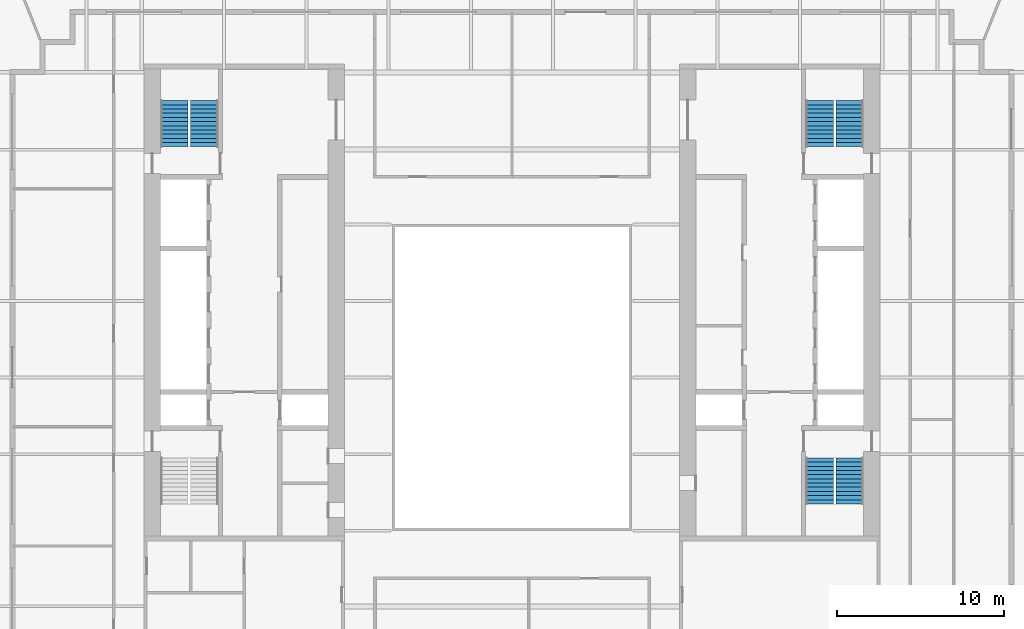
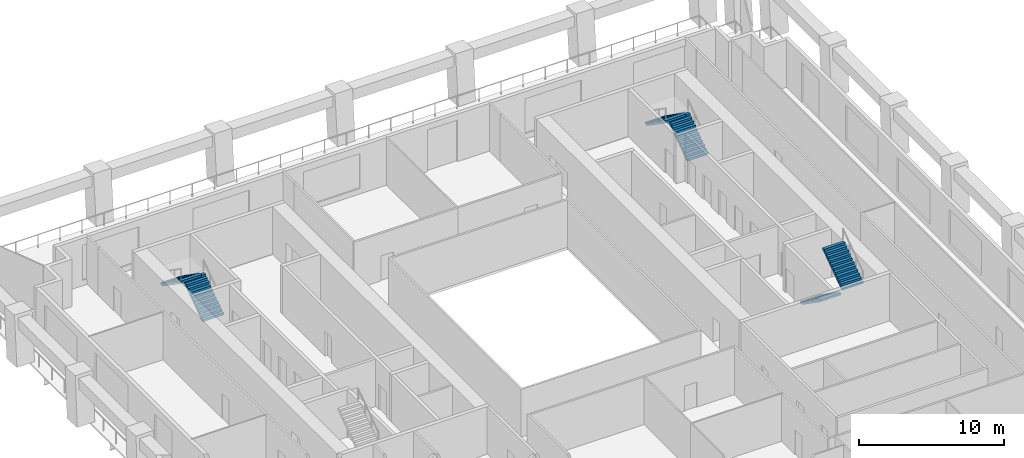
# One storey, part 8 of 10: 6 stair flights, 3 elements without a shape of their own.
"""IFC4 building model written with IfcOpenShell, lengths in metres."""

import ifcopenshell
import ifcopenshell.guid

model = None  # the IFC model being written
_history = None  # IfcOwnerHistory: only IFC2X3 demands one
_inside = {}  # id of a spatial element -> (the spatial element, [elements in it])
_under = {}  # id of a project, library or spatial element -> (it, [spatial elements below it])
_declared = {}  # id of a project -> (the project, [libraries it declares])
_typed = {}  # id of a type object -> (the type object, [elements of that type])
_made_of = {}  # id of a material, layer set ... -> (it, [elements and type objects made of it])


def new_model(schema):
    """Start an empty IFC model of exactly this schema.

    Asked for "IFC4X3", IfcOpenShell would pick the latest addendum, in which some entities
    have other attributes; the version numbers below select the first issue.
    IFC2X3 requires an IfcOwnerHistory on every rooted entity: one is made here for all.
    """
    global model, _history
    if schema == "IFC4X3":
        model = ifcopenshell.file(schema_version=(4, 3, 0, 0))
    else:
        model = ifcopenshell.file(schema=schema)
    _inside.clear()
    _under.clear()
    _declared.clear()
    _typed.clear()
    _made_of.clear()
    _history = None
    if model.schema == "IFC2X3":
        org = make("IfcOrganization", Name="unknown")
        user = make(
            "IfcPersonAndOrganization",
            ThePerson=make("IfcPerson", FamilyName="unknown"),
            TheOrganization=org,
        )
        app = make(
            "IfcApplication",
            ApplicationDeveloper=org,
            Version="unknown",
            ApplicationFullName="unknown",
            ApplicationIdentifier="unknown",
        )
        _history = make(
            "IfcOwnerHistory",
            OwningUser=user,
            OwningApplication=app,
            ChangeAction="ADDED",
            CreationDate=0,
        )
    return model


def make(cls, **values):
    """One entity of the class cls with the attributes given. An attribute that is None is left unset."""
    return model.create_entity(
        cls, **{name: value for name, value in values.items() if value is not None}
    )


def rooted(cls, **values):
    """An entity with a GlobalId (a new one), such as an element, a storey or a relation."""
    return make(cls, GlobalId=ifcopenshell.guid.new(), OwnerHistory=_history, **values)


def si_unit(unit_type, name, prefix=None):
    """IfcSIUnit, for example si_unit("LENGTHUNIT", "METRE", prefix="MILLI")."""
    return make("IfcSIUnit", UnitType=unit_type, Prefix=prefix, Name=name)


def assignment(units):
    """IfcUnitAssignment: the units of a project."""
    return None if units is None else make("IfcUnitAssignment", Units=units)


def point(xyz):
    """IfcCartesianPoint."""
    return None if xyz is None else make("IfcCartesianPoint", Coordinates=xyz)


def direction(xyz):
    """IfcDirection."""
    return None if xyz is None else make("IfcDirection", DirectionRatios=xyz)


def frame(location, z_axis=None, x_axis=None):
    """IfcAxis2Placement3D, a coordinate frame: its origin and axes. An axis left out is left unset."""
    return make(
        "IfcAxis2Placement3D",
        Location=point(location),
        Axis=direction(z_axis),
        RefDirection=direction(x_axis),
    )


def origin():
    """The frame at (0, 0, 0) with its axes left unset."""
    return frame((0.0, 0.0, 0.0))


def place(relative_to, where):
    """IfcLocalPlacement: puts the frame where relative to a parent placement (None: the world)."""
    return make(
        "IfcLocalPlacement", PlacementRelTo=relative_to, RelativePlacement=where
    )


def context(
    kind, dimensions, precision=None, world=None, true_north=None, identifier=None
):
    """IfcGeometricRepresentationContext, for example the 3D "Model" context."""
    return make(
        "IfcGeometricRepresentationContext",
        ContextIdentifier=identifier,
        ContextType=kind,
        CoordinateSpaceDimension=dimensions,
        Precision=precision,
        WorldCoordinateSystem=world,
        TrueNorth=true_north,
    )


def subcontext(parent, identifier, kind, view, scale=None):
    """IfcGeometricRepresentationSubContext, for example "Body" below "Model"."""
    return make(
        "IfcGeometricRepresentationSubContext",
        ContextIdentifier=identifier,
        ContextType=kind,
        ParentContext=parent,
        TargetScale=scale,
        TargetView=view,
    )


def project(units=None, contexts=None):
    """IfcProject with its units and contexts."""
    return rooted(
        "IfcProject",
        Name="project",
        RepresentationContexts=contexts,
        UnitsInContext=assignment(units),
    )


def spatial(cls, under=None, at=None, **own):
    """A site, building, storey or space (cls), placed at a placement, below another one or the project."""
    s = rooted(cls, ObjectPlacement=at, **own)
    if under is not None:
        _under.setdefault(under.id(), (under, []))[1].append(s)
    return s


def polyline(points):
    """IfcPolyline through the points."""
    return make("IfcPolyline", Points=[point(p) for p in points])


def outline(outer, holes=None, kind="AREA"):
    """IfcArbitraryClosedProfileDef: a profile drawn as a closed curve; with holes, ...WithVoids."""
    if holes is None:
        return make("IfcArbitraryClosedProfileDef", ProfileType=kind, OuterCurve=outer)
    return make(
        "IfcArbitraryProfileDefWithVoids",
        ProfileType=kind,
        OuterCurve=outer,
        InnerCurves=holes,
    )


def extrude(swept, where, along, depth):
    """IfcExtrudedAreaSolid: the profile swept, set in the frame where, extruded along a direction by depth."""
    return make(
        "IfcExtrudedAreaSolid",
        SweptArea=swept,
        Position=where,
        ExtrudedDirection=direction(along),
        Depth=depth,
    )


def shape(context_of_items, identifier, shape_type, items):
    """IfcShapeRepresentation: the items that make up one representation, for example the "Body"."""
    return make(
        "IfcShapeRepresentation",
        ContextOfItems=context_of_items,
        RepresentationIdentifier=identifier,
        RepresentationType=shape_type,
        Items=items,
    )


def material(Name=None, Category=None):
    """IfcMaterial."""
    return make("IfcMaterial", Name=Name, Category=Category)


def made_of(thing, what):
    """Note that an element or type object is made of a material, layer set ...; save() writes the relation."""
    if what is not None:
        _made_of.setdefault(what.id(), (what, []))[1].append(thing)
    return thing


def type_object(cls, material=None, **own):
    """A type object (cls), such as IfcWallType, which elements share."""
    return made_of(rooted(cls, **own), material)


def element(
    cls,
    number,
    at=None,
    inside=None,
    cuts=None,
    type_object=None,
    material=None,
    context=None,
    identifier="Body",
    shape_type=None,
    held_by="IfcProductDefinitionShape",
    body=None,
    shapes=None,
    **own,
):
    """One element of the class cls, such as IfcWall. Its Tag is "e" and its number.

    at: its placement. inside: the storey or other place that contains it. cuts: it is an
    opening in that element (IfcRelVoidsElement). A single representation is given by context,
    identifier, shape_type and body (its items); several are given by shapes. held_by: the class
    of the entity that holds the representations. save() writes the other relations.
    """
    e = rooted(cls, Tag="e%d" % number, ObjectPlacement=at, **own)
    if body is not None:
        shapes = [shape(context, identifier, shape_type, body)]
    if shapes is not None:
        e.Representation = make(held_by, Representations=shapes)
    if inside is not None:
        _inside.setdefault(inside.id(), (inside, []))[1].append(e)
    if cuts is not None:
        rooted(
            "IfcRelVoidsElement", RelatingBuildingElement=cuts, RelatedOpeningElement=e
        )
    if type_object is not None:
        _typed.setdefault(type_object.id(), (type_object, []))[1].append(e)
    return made_of(e, material)


def aggregate(whole, parts):
    """IfcRelAggregates: a whole, such as a stair, and the parts it consists of."""
    return rooted("IfcRelAggregates", RelatingObject=whole, RelatedObjects=parts)


def save(model, path):
    """Write the relations noted so far, then the file.

    IfcRelAggregates (storeys below a building ...), IfcRelContainedInSpatialStructure (elements
    in a storey), IfcRelDefinesByType, IfcRelAssociatesMaterial and IfcRelDeclares: one each for
    every whole, place, type object, material and project.
    """
    for whole, parts in _under.values():
        aggregate(whole, parts)
    for where, things in _inside.values():
        rooted(
            "IfcRelContainedInSpatialStructure",
            RelatedElements=things,
            RelatingStructure=where,
        )
    for kind, things in _typed.values():
        rooted("IfcRelDefinesByType", RelatedObjects=things, RelatingType=kind)
    for what, things in _made_of.values():
        rooted("IfcRelAssociatesMaterial", RelatedObjects=things, RelatingMaterial=what)
    for by, libraries in _declared.values():
        rooted("IfcRelDeclares", RelatingContext=by, RelatedDefinitions=libraries)
    model.write(path)


model = new_model("IFC4")

# Units and contexts
model_context = context("Model", 3, precision=1e-05, world=origin(), true_north=direction((0.0, 1.0)))
body_context = subcontext(model_context, "Body", "Model", "MODEL_VIEW")
ifc_project = project(units=[si_unit("LENGTHUNIT", "METRE"), si_unit("AREAUNIT", "SQUARE_METRE"), si_unit("VOLUMEUNIT", "CUBIC_METRE"), si_unit("PLANEANGLEUNIT", "RADIAN"), si_unit("MASSUNIT", "GRAM", prefix="KILO")], contexts=[model_context])

# Site, building, storey
site_placement = place(None, origin())
site = spatial("IfcSite", under=ifc_project, at=site_placement, CompositionType="ELEMENT")
building_placement = place(site_placement, origin())
building = spatial("IfcBuilding", under=site, at=building_placement, Name="Ogive Exchange Tower", CompositionType="ELEMENT")
storey_placement = place(building_placement, frame((0.0, 0.0, 73.199951171875)))
storey = spatial("IfcBuildingStorey", under=building, at=storey_placement, Name="L15", CompositionType="ELEMENT", Elevation=73.199951171875)

# Stair, stair flights
ifc_material = material(Name="Concrete C40/50", Category="concrete")
stair_type = type_object("IfcStairType", Name="Exit stair 1650 wide", PredefinedType="HALF_TURN_STAIR", material=ifc_material)
stair_1_placement = place(storey_placement, origin())
stair_1 = element("IfcStair", 1, at=stair_1_placement, inside=storey, type_object=stair_type, Name="L15 exit stair ST2", PredefinedType="HALF_TURN_STAIR")
stair_flight_type = type_object("IfcStairFlightType", Name="Stair flight 1650 wide", PredefinedType="STRAIGHT", material=ifc_material)
stair_flight_1_placement = place(storey_placement, frame((-18.375, 20.800048828125, 0.0), z_axis=(0.0, 0.0, 1.0), x_axis=(0.0, 1.0, 0.0)))
stair_flight_1 = element("IfcStairFlight", 2, at=stair_flight_1_placement, type_object=stair_flight_type, Name="ST2 flight 1", NumberOfRisers=12, NumberOfTreads=11, PredefinedType="STRAIGHT", RiserHeight=0.175, TreadLength=0.25, context=body_context, shape_type="SweptSolid", body=[
    extrude(outline(polyline([(0.0, 0.0), (0.0, 0.175048828125), (0.25, 0.175048828125), (0.25, 0.35009765625), (0.5, 0.35009765625), (0.5, 0.52490234375), (0.75, 0.52490234375), (0.75, 0.699951171875), (1.0, 0.699951171875), (1.0, 0.875), (1.25, 0.875), (1.25, 1.050048828125), (1.5, 1.050048828125), (1.5, 1.22509765625), (1.75, 1.22509765625), (1.75, 1.39990234375), (2.0, 1.39990234375), (2.0, 1.574951171875), (2.25, 1.574951171875), (2.25, 1.75), (2.5, 1.75), (2.5, 1.925048828125), (2.75, 1.925048828125), (2.75, 2.10009765625), (2.75, 1.741943359375), (0.261474609375, 0.0), (0.0, 0.0)])), frame((0.0, 0.824951171875, 0.0), z_axis=(0.0, -1.0, 0.0), x_axis=(1.0, 0.0, 0.0)), (0.0, 0.0, 1.0), 1.64990234375),
])
stair_flight_2_placement = place(storey_placement, frame((-20.175048828125, 23.550048828125, 2.10009765625), z_axis=(0.0, 0.0, 1.0), x_axis=(0.0, -1.0, 0.0)))
stair_flight_2 = element("IfcStairFlight", 3, at=stair_flight_2_placement, type_object=stair_flight_type, Name="ST2 flight 2", NumberOfRisers=12, NumberOfTreads=11, PredefinedType="STRAIGHT", RiserHeight=0.175, TreadLength=0.25, context=body_context, shape_type="SweptSolid", body=[
    extrude(outline(polyline([(0.0, 0.0), (0.0, 0.175048828125), (0.25, 0.175048828125), (0.25, 0.35009765625), (0.5, 0.35009765625), (0.5, 0.52490234375), (0.75, 0.52490234375), (0.75, 0.699951171875), (1.0, 0.699951171875), (1.0, 0.875), (1.25, 0.875), (1.25, 1.050048828125), (1.5, 1.050048828125), (1.5, 1.22509765625), (1.75, 1.22509765625), (1.75, 1.39990234375), (2.0, 1.39990234375), (2.0, 1.574951171875), (2.25, 1.574951171875), (2.25, 1.75), (2.5, 1.75), (2.5, 1.925048828125), (2.75, 1.925048828125), (2.75, 2.10009765625), (2.75, 1.741943359375), (0.261474609375, 0.0), (0.0, 0.0)])), frame((0.0, 0.824951171875, 0.0), z_axis=(0.0, -1.0, 0.0), x_axis=(1.0, 0.0, 0.0)), (0.0, 0.0, 1.0), 1.64990234375),
])
aggregate(stair_1, [stair_flight_1, stair_flight_2])

stair_2_placement = place(storey_placement, origin())
stair_2 = element("IfcStair", 4, at=stair_2_placement, inside=storey, type_object=stair_type, Name="L15 exit stair ST3", PredefinedType="HALF_TURN_STAIR")
stair_flight_3_placement = place(storey_placement, frame((18.375, 2.199951171875, 0.0), z_axis=(0.0, 0.0, 1.0), x_axis=(0.0, -1.0, 0.0)))
stair_flight_3 = element("IfcStairFlight", 5, at=stair_flight_3_placement, type_object=stair_flight_type, Name="ST3 flight 1", NumberOfRisers=12, NumberOfTreads=11, PredefinedType="STRAIGHT", RiserHeight=0.175, TreadLength=0.25, context=body_context, shape_type="SweptSolid", body=[
    extrude(outline(polyline([(0.0, 0.0), (0.0, 0.175048828125), (0.25, 0.175048828125), (0.25, 0.35009765625), (0.5, 0.35009765625), (0.5, 0.52490234375), (0.75, 0.52490234375), (0.75, 0.699951171875), (1.0, 0.699951171875), (1.0, 0.875), (1.25, 0.875), (1.25, 1.050048828125), (1.5, 1.050048828125), (1.5, 1.22509765625), (1.75, 1.22509765625), (1.75, 1.39990234375), (2.0, 1.39990234375), (2.0, 1.574951171875), (2.25, 1.574951171875), (2.25, 1.75), (2.5, 1.75), (2.5, 1.925048828125), (2.75, 1.925048828125), (2.75, 2.10009765625), (2.75, 1.741943359375), (0.261474609375, 0.0), (0.0, 0.0)])), frame((0.0, 0.824951171875, 0.0), z_axis=(0.0, -1.0, 0.0), x_axis=(1.0, 0.0, 0.0)), (0.0, 0.0, 1.0), 1.64990234375),
])
stair_flight_4_placement = place(storey_placement, frame((20.175048828125, -0.550048828125, 2.10009765625), z_axis=(0.0, 0.0, 1.0), x_axis=(0.0, 1.0, 0.0)))
stair_flight_4 = element("IfcStairFlight", 6, at=stair_flight_4_placement, type_object=stair_flight_type, Name="ST3 flight 2", NumberOfRisers=12, NumberOfTreads=11, PredefinedType="STRAIGHT", RiserHeight=0.175, TreadLength=0.25, context=body_context, shape_type="SweptSolid", body=[
    extrude(outline(polyline([(0.0, 0.0), (0.0, 0.175048828125), (0.25, 0.175048828125), (0.25, 0.35009765625), (0.5, 0.35009765625), (0.5, 0.52490234375), (0.75, 0.52490234375), (0.75, 0.699951171875), (1.0, 0.699951171875), (1.0, 0.875), (1.25, 0.875), (1.25, 1.050048828125), (1.5, 1.050048828125), (1.5, 1.22509765625), (1.75, 1.22509765625), (1.75, 1.39990234375), (2.0, 1.39990234375), (2.0, 1.574951171875), (2.25, 1.574951171875), (2.25, 1.75), (2.5, 1.75), (2.5, 1.925048828125), (2.75, 1.925048828125), (2.75, 2.10009765625), (2.75, 1.741943359375), (0.261474609375, 0.0), (0.0, 0.0)])), frame((0.0, 0.824951171875, 0.0), z_axis=(0.0, -1.0, 0.0), x_axis=(1.0, 0.0, 0.0)), (0.0, 0.0, 1.0), 1.64990234375),
])
aggregate(stair_2, [stair_flight_3, stair_flight_4])

stair_3_placement = place(storey_placement, origin())
stair_3 = element("IfcStair", 7, at=stair_3_placement, inside=storey, type_object=stair_type, Name="L15 exit stair ST4", PredefinedType="HALF_TURN_STAIR")
stair_flight_5_placement = place(storey_placement, frame((20.175048828125, 20.800048828125, 0.0), z_axis=(0.0, 0.0, 1.0), x_axis=(0.0, 1.0, 0.0)))
stair_flight_5 = element("IfcStairFlight", 8, at=stair_flight_5_placement, type_object=stair_flight_type, Name="ST4 flight 1", NumberOfRisers=12, NumberOfTreads=11, PredefinedType="STRAIGHT", RiserHeight=0.175, TreadLength=0.25, context=body_context, shape_type="SweptSolid", body=[
    extrude(outline(polyline([(0.0, 0.0), (0.0, 0.175048828125), (0.25, 0.175048828125), (0.25, 0.35009765625), (0.5, 0.35009765625), (0.5, 0.52490234375), (0.75, 0.52490234375), (0.75, 0.699951171875), (1.0, 0.699951171875), (1.0, 0.875), (1.25, 0.875), (1.25, 1.050048828125), (1.5, 1.050048828125), (1.5, 1.22509765625), (1.75, 1.22509765625), (1.75, 1.39990234375), (2.0, 1.39990234375), (2.0, 1.574951171875), (2.25, 1.574951171875), (2.25, 1.75), (2.5, 1.75), (2.5, 1.925048828125), (2.75, 1.925048828125), (2.75, 2.10009765625), (2.75, 1.741943359375), (0.261474609375, 0.0), (0.0, 0.0)])), frame((0.0, 0.824951171875, 0.0), z_axis=(0.0, -1.0, 0.0), x_axis=(1.0, 0.0, 0.0)), (0.0, 0.0, 1.0), 1.64990234375),
])
stair_flight_6_placement = place(storey_placement, frame((18.375, 23.550048828125, 2.10009765625), z_axis=(0.0, 0.0, 1.0), x_axis=(0.0, -1.0, 0.0)))
stair_flight_6 = element("IfcStairFlight", 9, at=stair_flight_6_placement, type_object=stair_flight_type, Name="ST4 flight 2", NumberOfRisers=12, NumberOfTreads=11, PredefinedType="STRAIGHT", RiserHeight=0.175, TreadLength=0.25, context=body_context, shape_type="SweptSolid", body=[
    extrude(outline(polyline([(0.0, 0.0), (0.0, 0.175048828125), (0.25, 0.175048828125), (0.25, 0.35009765625), (0.5, 0.35009765625), (0.5, 0.52490234375), (0.75, 0.52490234375), (0.75, 0.699951171875), (1.0, 0.699951171875), (1.0, 0.875), (1.25, 0.875), (1.25, 1.050048828125), (1.5, 1.050048828125), (1.5, 1.22509765625), (1.75, 1.22509765625), (1.75, 1.39990234375), (2.0, 1.39990234375), (2.0, 1.574951171875), (2.25, 1.574951171875), (2.25, 1.75), (2.5, 1.75), (2.5, 1.925048828125), (2.75, 1.925048828125), (2.75, 2.10009765625), (2.75, 1.741943359375), (0.261474609375, 0.0), (0.0, 0.0)])), frame((0.0, 0.824951171875, 0.0), z_axis=(0.0, -1.0, 0.0), x_axis=(1.0, 0.0, 0.0)), (0.0, 0.0, 1.0), 1.64990234375),
])
aggregate(stair_3, [stair_flight_5, stair_flight_6])

save(model, "model.ifc")
